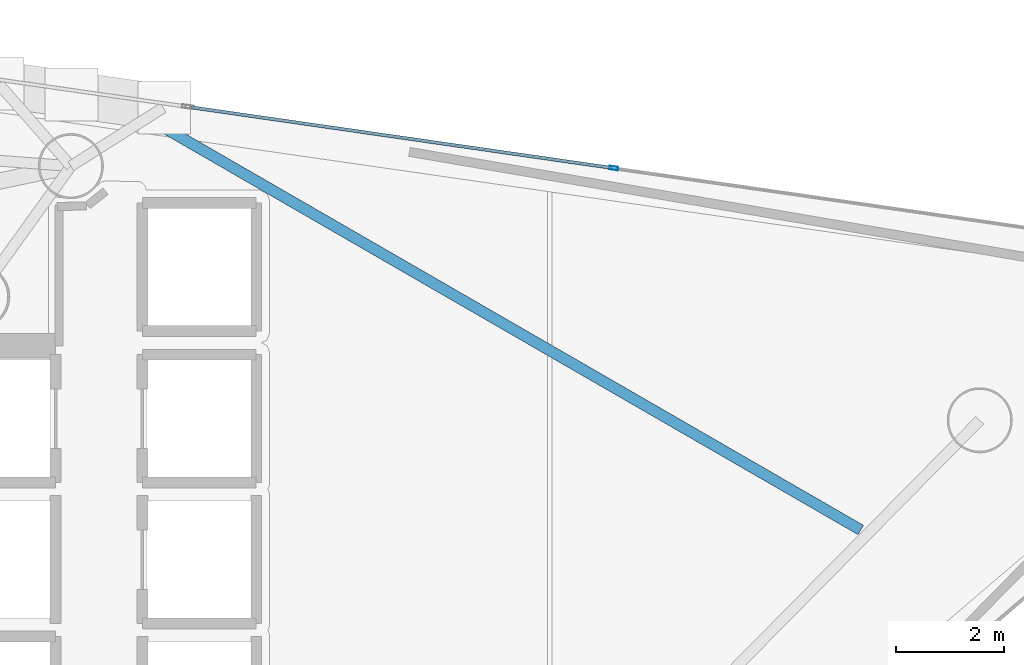
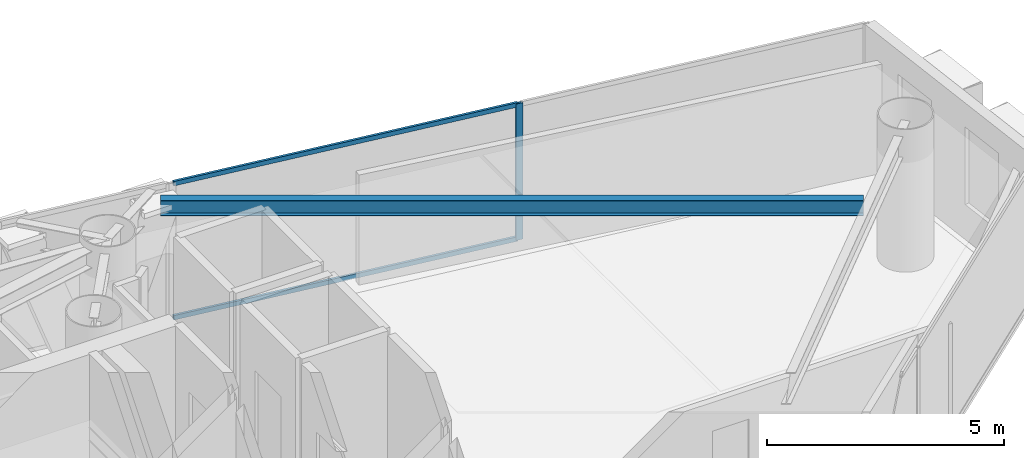
# One storey, part 14 of 23: 3 members, 1 beam, 1 element without a shape of its own.
"""IFC4 building model written with IfcOpenShell, lengths in metres."""

from ifc_helpers import new_model, si_unit, direction, frame, origin, origin_2d, place, context, subcontext, project, spatial, hollow_rectangle, i_section, extrude, material, layer, layer_set, material_profile, profile_set, type_object, element, aggregate, save


model = new_model("IFC4")

# Units and contexts
model_context = context("Model", 3, precision=1e-05, world=origin(), true_north=direction((0.0, 1.0)))
body_context = subcontext(model_context, "Body", "Model", "MODEL_VIEW")
ifc_project = project(units=[si_unit("LENGTHUNIT", "METRE"), si_unit("AREAUNIT", "SQUARE_METRE"), si_unit("VOLUMEUNIT", "CUBIC_METRE"), si_unit("PLANEANGLEUNIT", "RADIAN"), si_unit("MASSUNIT", "GRAM", prefix="KILO")], contexts=[model_context])

# Site, building, storey
site_placement = place(None, origin())
site = spatial("IfcSite", under=ifc_project, at=site_placement, CompositionType="ELEMENT")
building_placement = place(site_placement, origin())
building = spatial("IfcBuilding", under=site, at=building_placement, Name="Qianvela Tower", CompositionType="ELEMENT")
storey_placement = place(building_placement, frame((0.0, 0.0, 215.10009765625)))
storey = spatial("IfcBuildingStorey", under=building, at=storey_placement, Name="L55", CompositionType="ELEMENT", Elevation=215.10009765625)

# Beam
ifc_material_1 = material(Name="Steel Q355B", Category="steel")
ifc_material_profile_1 = material_profile(ifc_material_1, i_section(OverallWidth=0.199951171875, OverallDepth=0.39990234375, WebThickness=0.008056640625, FlangeThickness=0.012939453125, at=origin_2d()), Name="HN400x200x8x13")
ifc_profile_set_1 = profile_set([ifc_material_profile_1], Name="Steel Q355B")
beam_type = type_object("IfcBeamType", Name="BM-HN400-JOIST", PredefinedType="JOIST", material=ifc_profile_set_1)
beam_placement = place(storey_placement, frame((54.701171875, 29.2470703125, 3.31787109375), z_axis=(-0.866028765826, 0.499994176729, 0.0), x_axis=(-0.499994176729, -0.866028765826, 0.0)))
element("IfcBeam", 1, at=beam_placement, inside=storey, type_object=beam_type, Name="L55 Bay Secondary Floor Joist 1", PredefinedType="JOIST", context=body_context, shape_type="SweptSolid", body=[
    extrude(i_section(OverallWidth=0.199951171875, OverallDepth=0.39990234375, WebThickness=0.008056640625, FlangeThickness=0.012939453125, at=origin_2d()), origin(), (0.0, 0.0, 1.0), 14.855224609375),
])

# Curtain wall, members
ifc_material_2 = material(Name="Anodised Architectural Aluminium and Low-E Glass", Category="aluminium")
ifc_layer = layer(ifc_material_2, 0.159912109375)
ifc_layer_set = layer_set([ifc_layer], Name="Anodised Architectural Aluminium and Low-E Glass")
curtain_wall_type = type_object("IfcCurtainWallType", Name="CW-COLIV-Z56", PredefinedType="USERDEFINED", material=ifc_layer_set)
curtain_wall_placement = place(storey_placement, origin())
curtain_wall = element("IfcCurtainWall", 2, at=curtain_wall_placement, inside=storey, type_object=curtain_wall_type, Name="L55 CW-COLIV-Z56 Curtain Wall 02A", ObjectType="CURTAIN_WALL_SYSTEM", PredefinedType="USERDEFINED")
ifc_material_3 = material(Name="Anodised Architectural Aluminium 6063-T6", Category="aluminium")
ifc_material_profile_2 = material_profile(ifc_material_3, hollow_rectangle(XDim=0.06494140625, YDim=0.159912109375, WallThickness=0.0048828125, at=origin_2d()), Name="ALU-MULL-65x160")
ifc_profile_set_2 = profile_set([ifc_material_profile_2], Name="Anodised Architectural Aluminium 6063-T6")
member_type_1 = type_object("IfcMemberType", Name="CW-COLIV-Z56-MULL", PredefinedType="MULLION", material=ifc_profile_set_2)
member_1_placement = place(storey_placement, frame((50.147216796875, 35.920166015625, 0.0), z_axis=(0.0, 0.0, 1.0), x_axis=(-0.142508103244, -0.989793635315, 0.0)))
member_1 = element("IfcMember", 3, at=member_1_placement, type_object=member_type_1, Name="CW-5 mullion 2", PredefinedType="MULLION", context=body_context, shape_type="SweptSolid", body=[
    extrude(hollow_rectangle(XDim=0.06494140625, YDim=0.159912109375, WallThickness=0.0048828125, at=origin_2d()), origin(), (0.0, 0.0, 1.0), 3.52001953125),
])
ifc_material_4 = material(Name="Anodised Architectural Aluminium 6063-T6", Category="aluminium")
ifc_material_profile_3 = material_profile(ifc_material_4, hollow_rectangle(XDim=0.06005859375, YDim=0.114990234375, WallThickness=0.00390625, at=origin_2d()), Name="ALU-TRAN-60x115")
ifc_profile_set_3 = profile_set([ifc_material_profile_3], Name="Anodised Architectural Aluminium 6063-T6")
member_type_2 = type_object("IfcMemberType", Name="CW-COLIV-Z56-TRAN", PredefinedType="USERDEFINED", material=ifc_profile_set_3)
member_2_placement = place(storey_placement, frame((50.115234375, 35.9248046875, 0.02978515625), z_axis=(-0.989793143004, 0.142511522557, 0.0), x_axis=(-0.142511522557, -0.989793143004, 0.0)))
member_2 = element("IfcMember", 4, at=member_2_placement, type_object=member_type_2, Name="CW-5 transom 2.1", ObjectType="TRANSOM", PredefinedType="USERDEFINED", context=body_context, shape_type="SweptSolid", body=[
    extrude(hollow_rectangle(XDim=0.06005859375, YDim=0.114990234375, WallThickness=0.00390625, at=origin_2d()), origin(), (0.0, 0.0, 1.0), 7.837646484375),
])
member_3_placement = place(storey_placement, frame((50.115234375, 35.9248046875, 3.489990234375), z_axis=(-0.989793143004, 0.142511522557, 0.0), x_axis=(-0.142511522557, -0.989793143004, 0.0)))
member_3 = element("IfcMember", 5, at=member_3_placement, type_object=member_type_2, Name="CW-5 transom 2.2", ObjectType="TRANSOM", PredefinedType="USERDEFINED", context=body_context, shape_type="SweptSolid", body=[
    extrude(hollow_rectangle(XDim=0.06005859375, YDim=0.114990234375, WallThickness=0.00390625, at=origin_2d()), origin(), (0.0, 0.0, 1.0), 7.837646484375),
])
aggregate(curtain_wall, [member_1, member_2, member_3])

save(model, "model.ifc")
